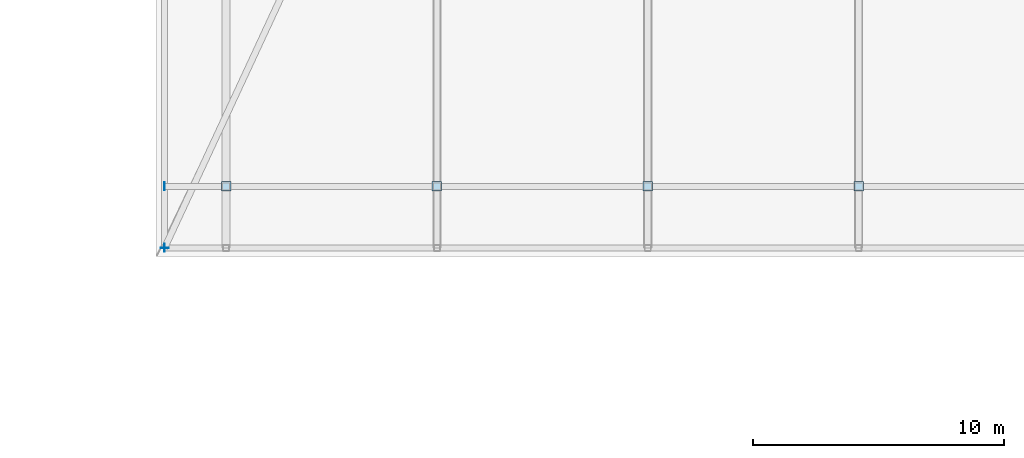
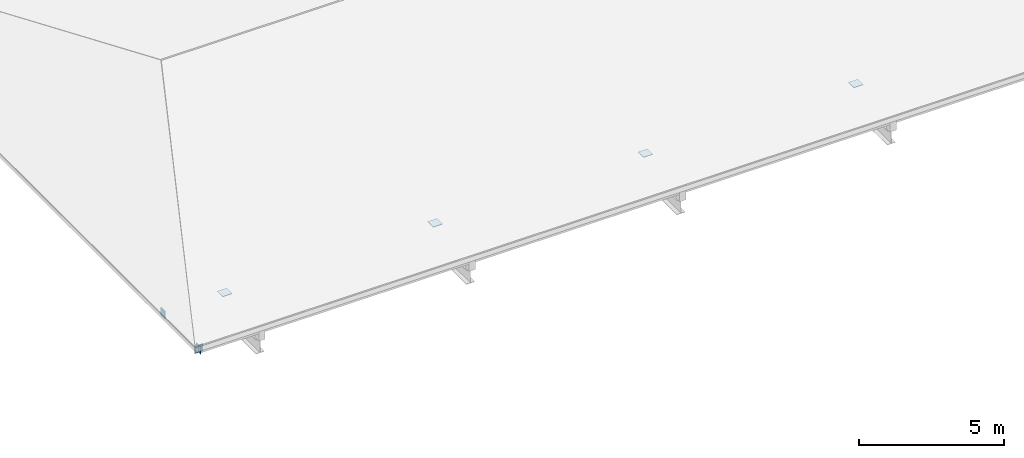
# One storey, part 9 of 13: 7 plates.
"""IFC4 building model written with IfcOpenShell, lengths in metres."""

import ifcopenshell
import ifcopenshell.guid

model = None  # the IFC model being written
_history = None  # IfcOwnerHistory: only IFC2X3 demands one
_inside = {}  # id of a spatial element -> (the spatial element, [elements in it])
_under = {}  # id of a project, library or spatial element -> (it, [spatial elements below it])
_declared = {}  # id of a project -> (the project, [libraries it declares])
_typed = {}  # id of a type object -> (the type object, [elements of that type])
_made_of = {}  # id of a material, layer set ... -> (it, [elements and type objects made of it])


def new_model(schema):
    """Start an empty IFC model of exactly this schema.

    Asked for "IFC4X3", IfcOpenShell would pick the latest addendum, in which some entities
    have other attributes; the version numbers below select the first issue.
    IFC2X3 requires an IfcOwnerHistory on every rooted entity: one is made here for all.
    """
    global model, _history
    if schema == "IFC4X3":
        model = ifcopenshell.file(schema_version=(4, 3, 0, 0))
    else:
        model = ifcopenshell.file(schema=schema)
    _inside.clear()
    _under.clear()
    _declared.clear()
    _typed.clear()
    _made_of.clear()
    _history = None
    if model.schema == "IFC2X3":
        org = make("IfcOrganization", Name="unknown")
        user = make(
            "IfcPersonAndOrganization",
            ThePerson=make("IfcPerson", FamilyName="unknown"),
            TheOrganization=org,
        )
        app = make(
            "IfcApplication",
            ApplicationDeveloper=org,
            Version="unknown",
            ApplicationFullName="unknown",
            ApplicationIdentifier="unknown",
        )
        _history = make(
            "IfcOwnerHistory",
            OwningUser=user,
            OwningApplication=app,
            ChangeAction="ADDED",
            CreationDate=0,
        )
    return model


def make(cls, **values):
    """One entity of the class cls with the attributes given. An attribute that is None is left unset."""
    return model.create_entity(
        cls, **{name: value for name, value in values.items() if value is not None}
    )


def rooted(cls, **values):
    """An entity with a GlobalId (a new one), such as an element, a storey or a relation."""
    return make(cls, GlobalId=ifcopenshell.guid.new(), OwnerHistory=_history, **values)


def si_unit(unit_type, name, prefix=None):
    """IfcSIUnit, for example si_unit("LENGTHUNIT", "METRE", prefix="MILLI")."""
    return make("IfcSIUnit", UnitType=unit_type, Prefix=prefix, Name=name)


def assignment(units):
    """IfcUnitAssignment: the units of a project."""
    return None if units is None else make("IfcUnitAssignment", Units=units)


def point(xyz):
    """IfcCartesianPoint."""
    return None if xyz is None else make("IfcCartesianPoint", Coordinates=xyz)


def direction(xyz):
    """IfcDirection."""
    return None if xyz is None else make("IfcDirection", DirectionRatios=xyz)


def frame(location, z_axis=None, x_axis=None):
    """IfcAxis2Placement3D, a coordinate frame: its origin and axes. An axis left out is left unset."""
    return make(
        "IfcAxis2Placement3D",
        Location=point(location),
        Axis=direction(z_axis),
        RefDirection=direction(x_axis),
    )


def frame_2d(location, x_axis=None):
    """IfcAxis2Placement2D, a coordinate frame in the plane: its origin and x axis."""
    return make(
        "IfcAxis2Placement2D", Location=point(location), RefDirection=direction(x_axis)
    )


def origin():
    """The frame at (0, 0, 0) with its axes left unset."""
    return frame((0.0, 0.0, 0.0))


def origin_2d():
    """The frame at (0, 0) in the plane with its x axis left unset."""
    return frame_2d((0.0, 0.0))


def place(relative_to, where):
    """IfcLocalPlacement: puts the frame where relative to a parent placement (None: the world)."""
    return make(
        "IfcLocalPlacement", PlacementRelTo=relative_to, RelativePlacement=where
    )


def context(
    kind, dimensions, precision=None, world=None, true_north=None, identifier=None
):
    """IfcGeometricRepresentationContext, for example the 3D "Model" context."""
    return make(
        "IfcGeometricRepresentationContext",
        ContextIdentifier=identifier,
        ContextType=kind,
        CoordinateSpaceDimension=dimensions,
        Precision=precision,
        WorldCoordinateSystem=world,
        TrueNorth=true_north,
    )


def subcontext(parent, identifier, kind, view, scale=None):
    """IfcGeometricRepresentationSubContext, for example "Body" below "Model"."""
    return make(
        "IfcGeometricRepresentationSubContext",
        ContextIdentifier=identifier,
        ContextType=kind,
        ParentContext=parent,
        TargetScale=scale,
        TargetView=view,
    )


def project(units=None, contexts=None):
    """IfcProject with its units and contexts."""
    return rooted(
        "IfcProject",
        Name="project",
        RepresentationContexts=contexts,
        UnitsInContext=assignment(units),
    )


def spatial(cls, under=None, at=None, **own):
    """A site, building, storey or space (cls), placed at a placement, below another one or the project."""
    s = rooted(cls, ObjectPlacement=at, **own)
    if under is not None:
        _under.setdefault(under.id(), (under, []))[1].append(s)
    return s


def profile(cls, at=None, kind="AREA", **sizes):
    """A parametric profile (cls). Its sizes go by their IFC names, for example OverallWidth=200.0."""
    return make(cls, ProfileType=kind, Position=at, **sizes)


def rectangle(**sizes):
    """IfcRectangleProfileDef."""
    return profile("IfcRectangleProfileDef", **sizes)


def extrude(swept, where, along, depth):
    """IfcExtrudedAreaSolid: the profile swept, set in the frame where, extruded along a direction by depth."""
    return make(
        "IfcExtrudedAreaSolid",
        SweptArea=swept,
        Position=where,
        ExtrudedDirection=direction(along),
        Depth=depth,
    )


def shape(context_of_items, identifier, shape_type, items):
    """IfcShapeRepresentation: the items that make up one representation, for example the "Body"."""
    return make(
        "IfcShapeRepresentation",
        ContextOfItems=context_of_items,
        RepresentationIdentifier=identifier,
        RepresentationType=shape_type,
        Items=items,
    )


def material(Name=None, Category=None):
    """IfcMaterial."""
    return make("IfcMaterial", Name=Name, Category=Category)


def layer(
    of_material, thickness, ventilated=None, Name=None, Category=None, Priority=None
):
    """IfcMaterialLayer: one layer of a wall or slab, of a material (None: an air gap)."""
    return make(
        "IfcMaterialLayer",
        Material=of_material,
        LayerThickness=thickness,
        IsVentilated=ventilated,
        Name=Name,
        Category=Category,
        Priority=Priority,
    )


def layer_set(layers, Name=None):
    """IfcMaterialLayerSet."""
    return make("IfcMaterialLayerSet", MaterialLayers=layers, LayerSetName=Name)


def made_of(thing, what):
    """Note that an element or type object is made of a material, layer set ...; save() writes the relation."""
    if what is not None:
        _made_of.setdefault(what.id(), (what, []))[1].append(thing)
    return thing


def type_object(cls, material=None, **own):
    """A type object (cls), such as IfcWallType, which elements share."""
    return made_of(rooted(cls, **own), material)


def element(
    cls,
    number,
    at=None,
    inside=None,
    cuts=None,
    type_object=None,
    material=None,
    context=None,
    identifier="Body",
    shape_type=None,
    held_by="IfcProductDefinitionShape",
    body=None,
    shapes=None,
    **own,
):
    """One element of the class cls, such as IfcWall. Its Tag is "e" and its number.

    at: its placement. inside: the storey or other place that contains it. cuts: it is an
    opening in that element (IfcRelVoidsElement). A single representation is given by context,
    identifier, shape_type and body (its items); several are given by shapes. held_by: the class
    of the entity that holds the representations. save() writes the other relations.
    """
    e = rooted(cls, Tag="e%d" % number, ObjectPlacement=at, **own)
    if body is not None:
        shapes = [shape(context, identifier, shape_type, body)]
    if shapes is not None:
        e.Representation = make(held_by, Representations=shapes)
    if inside is not None:
        _inside.setdefault(inside.id(), (inside, []))[1].append(e)
    if cuts is not None:
        rooted(
            "IfcRelVoidsElement", RelatingBuildingElement=cuts, RelatedOpeningElement=e
        )
    if type_object is not None:
        _typed.setdefault(type_object.id(), (type_object, []))[1].append(e)
    return made_of(e, material)


def aggregate(whole, parts):
    """IfcRelAggregates: a whole, such as a stair, and the parts it consists of."""
    return rooted("IfcRelAggregates", RelatingObject=whole, RelatedObjects=parts)


def save(model, path):
    """Write the relations noted so far, then the file.

    IfcRelAggregates (storeys below a building ...), IfcRelContainedInSpatialStructure (elements
    in a storey), IfcRelDefinesByType, IfcRelAssociatesMaterial and IfcRelDeclares: one each for
    every whole, place, type object, material and project.
    """
    for whole, parts in _under.values():
        aggregate(whole, parts)
    for where, things in _inside.values():
        rooted(
            "IfcRelContainedInSpatialStructure",
            RelatedElements=things,
            RelatingStructure=where,
        )
    for kind, things in _typed.values():
        rooted("IfcRelDefinesByType", RelatedObjects=things, RelatingType=kind)
    for what, things in _made_of.values():
        rooted("IfcRelAssociatesMaterial", RelatedObjects=things, RelatingMaterial=what)
    for by, libraries in _declared.values():
        rooted("IfcRelDeclares", RelatingContext=by, RelatedDefinitions=libraries)
    model.write(path)


model = new_model("IFC4")

# Units and contexts
model_context = context("Model", 3, precision=1e-05, world=origin(), true_north=direction((0.0, 1.0)))
body_context = subcontext(model_context, "Body", "Model", "MODEL_VIEW")
ifc_project = project(units=[si_unit("LENGTHUNIT", "METRE"), si_unit("AREAUNIT", "SQUARE_METRE"), si_unit("VOLUMEUNIT", "CUBIC_METRE"), si_unit("PLANEANGLEUNIT", "RADIAN"), si_unit("MASSUNIT", "GRAM", prefix="KILO")], contexts=[model_context])

# Site, building, storey
site_placement = place(None, origin())
site = spatial("IfcSite", under=ifc_project, at=site_placement, CompositionType="ELEMENT")
building_placement = place(site_placement, origin())
building = spatial("IfcBuilding", under=site, at=building_placement, Name="Cumbredor Promenade Congress Hotel", CompositionType="ELEMENT")
storey_placement = place(building_placement, frame((0.0, 0.0, 38.639892578125)))
storey = spatial("IfcBuildingStorey", under=building, at=storey_placement, Name="RF", CompositionType="ELEMENT", Elevation=38.639892578125)

# Plates
ifc_material = material(Name="Steel ASTM A572 Grade 50", Category="steel")
ifc_layer_1 = layer(ifc_material, 0.02001953125, Name="Steel ASTM A572 Grade 50", Category="steel")
ifc_layer_set_1 = layer_set([ifc_layer_1], Name="Steel ASTM A572 Grade 50")
plate_type_1 = type_object("IfcPlateType", Name="Hollow Section End Cap Plate CP-04", PredefinedType="USERDEFINED", material=ifc_layer_set_1)
for number, where, z_axis, x_axis, name in (
    (1, (8.39990234375, 92.39990234375, 0.218017578125), (0.0, 0.0, 1.0), (1.0, 0.0, 0.0), "Hotel Roof Bearing Post X8S End Cap Plate"),
    (2, (16.800048828125, 92.39990234375, 0.218017578125), (0.0, 0.0, 1.0), (1.0, 0.0, 0.0), "Hotel Roof Bearing Post X16S End Cap Plate"),
    (3, (25.199951171875, 92.39990234375, 0.218017578125), (0.0, 0.0, 1.0), (1.0, 0.0, 0.0), "Hotel Roof Bearing Post X25S End Cap Plate"),
    (4, (33.60009765625, 92.39990234375, 0.218017578125), (0.0, 0.0, 1.0), (1.0, 0.0, 0.0), "Hotel Roof Bearing Post X33S End Cap Plate"),
):
    element("IfcPlate", number, at=place(storey_placement, frame(where, z_axis=z_axis, x_axis=x_axis)), inside=storey, type_object=plate_type_1, Name=name, ObjectType="CAP PLATE", PredefinedType="USERDEFINED", context=body_context, shape_type="SweptSolid", body=[
        extrude(rectangle(XDim=0.3798828125, YDim=0.3798828125, at=origin_2d()), origin(), (0.0, 0.0, 1.0), 0.02001953125),
    ])
ifc_layer_2 = layer(ifc_material, 0.02001953125, Name="Steel ASTM A572 Grade 50", Category="steel")
ifc_layer_set_2 = layer_set([ifc_layer_2], Name="Steel ASTM A572 Grade 50")
plate_type_2 = type_object("IfcPlateType", Name="Hollow Section End Cap Plate CP-05", PredefinedType="USERDEFINED", material=ifc_layer_set_2)
for number, where, z_axis, x_axis, name in (
    (5, (5.94189453125, 92.39990234375, 0.06005859375), (0.0, 0.0, 1.0), (1.0, 0.0, 0.0), "Hotel Broad-Eave Longitudinal Tie S-W Start Cap Plate"),
    (6, (5.94189453125, 89.949951171875, 0.06005859375), (0.0, 0.0, 1.0), (1.0, 0.0, 0.0), "Hotel Broad-Eave Perimeter Fascia Beam S Start Cap Plate"),
    (7, (5.949951171875, 89.94189453125, 0.06005859375), (0.0, 0.0, 1.0), (0.0, 1.0, 0.0), "Hotel Broad-Eave Perimeter Fascia Beam W Start Cap Plate"),
):
    element("IfcPlate", number, at=place(storey_placement, frame(where, z_axis=z_axis, x_axis=x_axis)), inside=storey, type_object=plate_type_2, Name=name, ObjectType="CAP PLATE", PredefinedType="USERDEFINED", context=body_context, shape_type="SweptSolid", body=[
        extrude(rectangle(XDim=0.02001953125, YDim=0.320068359375, at=origin_2d()), origin(), (0.0, 0.0, 1.0), 0.320068359375),
    ])

save(model, "model.ifc")
